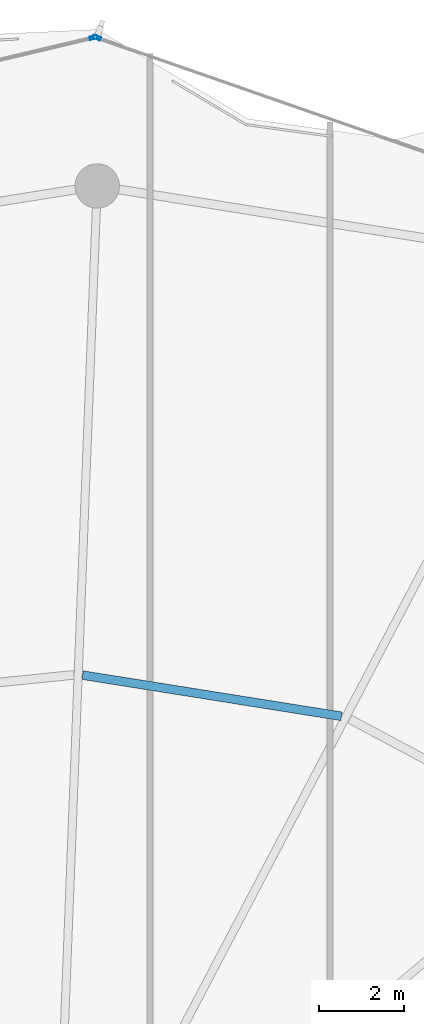
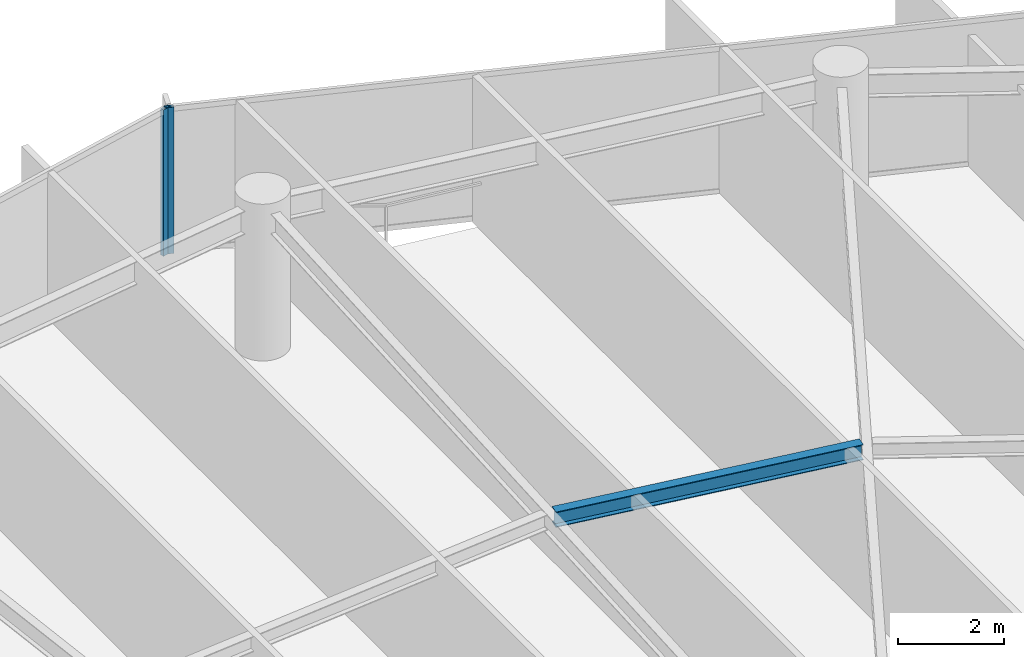
# One storey, part 19 of 29: 2 members, 1 beam, 2 elements without a shape of their own.
"""IFC4 building model written with IfcOpenShell, lengths in metres."""

from ifc_helpers import new_model, si_unit, direction, frame, origin, origin_2d, place, context, subcontext, project, spatial, hollow_rectangle, i_section, extrude, material, layer, layer_set, material_profile, profile_set, type_object, element, aggregate, save


model = new_model("IFC4")

# Units and contexts
model_context = context("Model", 3, precision=1e-05, world=origin(), true_north=direction((0.0, 1.0)))
body_context = subcontext(model_context, "Body", "Model", "MODEL_VIEW")
ifc_project = project(units=[si_unit("LENGTHUNIT", "METRE"), si_unit("AREAUNIT", "SQUARE_METRE"), si_unit("VOLUMEUNIT", "CUBIC_METRE"), si_unit("PLANEANGLEUNIT", "RADIAN"), si_unit("MASSUNIT", "GRAM", prefix="KILO")], contexts=[model_context])

# Site, building, storey
site_placement = place(None, origin())
site = spatial("IfcSite", under=ifc_project, at=site_placement, CompositionType="ELEMENT")
building_placement = place(site_placement, origin())
building = spatial("IfcBuilding", under=site, at=building_placement, Name="Kazevale Care Tower and Concert Hall", CompositionType="ELEMENT")
storey_placement = place(building_placement, frame((0.0, 0.0, 224.39990234375)))
storey = spatial("IfcBuildingStorey", under=building, at=storey_placement, Name="L59", CompositionType="ELEMENT", Elevation=224.39990234375)

# Curtain wall, member
ifc_material_1 = material(Name="Aluminium 6063-T6 and Low-E Glass", Category="aluminium")
ifc_layer_1 = layer(ifc_material_1, 0.179931640625)
ifc_layer_set_1 = layer_set([ifc_layer_1], Name="Aluminium 6063-T6 and Low-E Glass")
curtain_wall_type_1 = type_object("IfcCurtainWallType", Name="Convex Checkerboard Finned Curtain Wall CW-2", PredefinedType="NOTDEFINED", material=ifc_layer_set_1)
curtain_wall_1_placement = place(storey_placement, origin())
curtain_wall_1 = element("IfcCurtainWall", 1, at=curtain_wall_1_placement, inside=storey, type_object=curtain_wall_type_1, Name="cw:L59:f16", PredefinedType="NOTDEFINED")
ifc_material_2 = material(Name="Aluminium 6063-T6", Category="aluminium")
ifc_material_profile_1 = material_profile(ifc_material_2, hollow_rectangle(XDim=0.080078125, YDim=0.179931640625, WallThickness=0.0048828125, at=origin_2d()), Name="ALU80x180x5")
ifc_profile_set_1 = profile_set([ifc_material_profile_1], Name="Aluminium 6063-T6")
member_type_1 = type_object("IfcMemberType", Name="CW-2 Mullion ALU80x180x5", PredefinedType="MULLION", material=ifc_profile_set_1)
member_1_placement = place(storey_placement, frame((44.99169921875, 65.554931640625, 0.0), z_axis=(0.0, 0.0, 1.0), x_axis=(0.328583704497, 0.94447485363, 0.0)))
member_1 = element("IfcMember", 2, at=member_1_placement, type_object=member_type_1, Name="CW-2 mullion 1", PredefinedType="MULLION", context=body_context, shape_type="SweptSolid", body=[
    extrude(hollow_rectangle(XDim=0.080078125, YDim=0.179931640625, WallThickness=0.0048828125, at=origin_2d()), origin(), (0.0, 0.0, 1.0), 3.360107421875),
])
aggregate(curtain_wall_1, [member_1])

ifc_layer_2 = layer(ifc_material_1, 0.179931640625)
ifc_layer_set_2 = layer_set([ifc_layer_2], Name="Aluminium 6063-T6 and Low-E Glass")
curtain_wall_type_2 = type_object("IfcCurtainWallType", Name="Waist & Upper Residential Curtain Wall CW-4", PredefinedType="NOTDEFINED", material=ifc_layer_set_2)
curtain_wall_2_placement = place(storey_placement, origin())
curtain_wall_2 = element("IfcCurtainWall", 3, at=curtain_wall_2_placement, inside=storey, type_object=curtain_wall_type_2, Name="cw:L59:f15", PredefinedType="NOTDEFINED")
ifc_material_profile_2 = material_profile(ifc_material_2, hollow_rectangle(XDim=0.080078125, YDim=0.179931640625, WallThickness=0.0048828125, at=origin_2d()), Name="ALU80x180x5")
ifc_profile_set_2 = profile_set([ifc_material_profile_2], Name="Aluminium 6063-T6")
member_type_2 = type_object("IfcMemberType", Name="CW-4 Mullion ALU80x180x5", PredefinedType="MULLION", material=ifc_profile_set_2)
member_2_placement = place(storey_placement, frame((44.9150390625, 65.558837890625, 0.0), z_axis=(0.0, 0.0, 1.0), x_axis=(-0.230439111929, 0.973086746233, 0.0)))
member_2 = element("IfcMember", 4, at=member_2_placement, type_object=member_type_2, Name="CW-4 mullion 2", PredefinedType="MULLION", context=body_context, shape_type="SweptSolid", body=[
    extrude(hollow_rectangle(XDim=0.080078125, YDim=0.179931640625, WallThickness=0.0048828125, at=origin_2d()), origin(), (0.0, 0.0, 1.0), 3.360107421875),
])
aggregate(curtain_wall_2, [member_2])

# Beam
ifc_material_3 = material(Name="Steel ASTM A572 Gr 50", Category="steel")
ifc_material_profile_3 = material_profile(ifc_material_3, i_section(OverallWidth=0.205078125, OverallDepth=0.35400390625, WebThickness=0.009521484375, FlangeThickness=0.016845703125, at=origin_2d()), Name="W360x79")
ifc_profile_set_3 = profile_set([ifc_material_profile_3], Name="Steel ASTM A572 Gr 50")
beam_type = type_object("IfcBeamType", Name="Secondary Floor Joist W360x79", PredefinedType="JOIST", material=ifc_profile_set_3)
beam_placement = place(storey_placement, frame((50.77099609375, 49.51806640625, 3.18310546875), z_axis=(-0.987586560603, 0.157075731152, 0.0), x_axis=(-0.157075731152, -0.987586560603, 0.0)))
element("IfcBeam", 5, at=beam_placement, inside=storey, type_object=beam_type, Name="beam:L59:joist:04", PredefinedType="JOIST", context=body_context, shape_type="SweptSolid", body=[
    extrude(i_section(OverallWidth=0.205078125, OverallDepth=0.35400390625, WebThickness=0.009521484375, FlangeThickness=0.016845703125, at=origin_2d()), origin(), (0.0, 0.0, 1.0), 6.19384765625),
])

save(model, "model.ifc")
